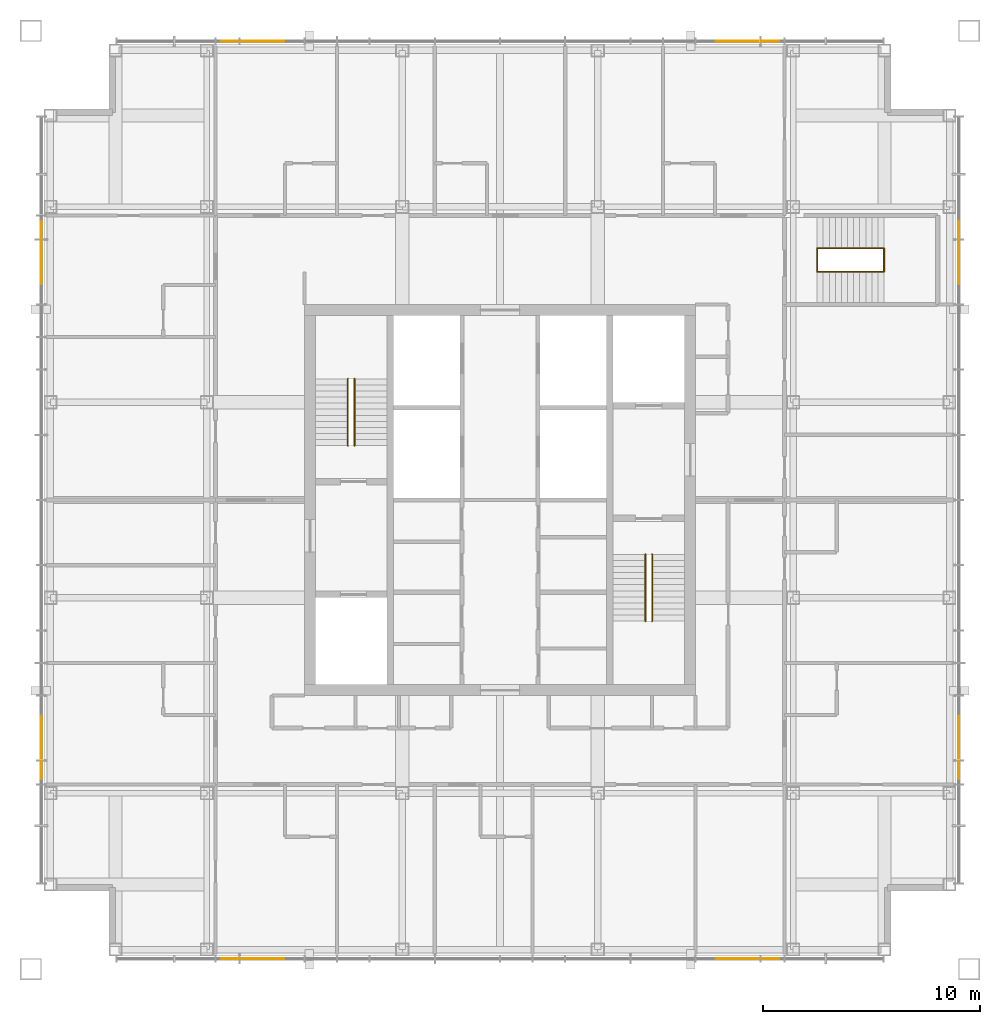
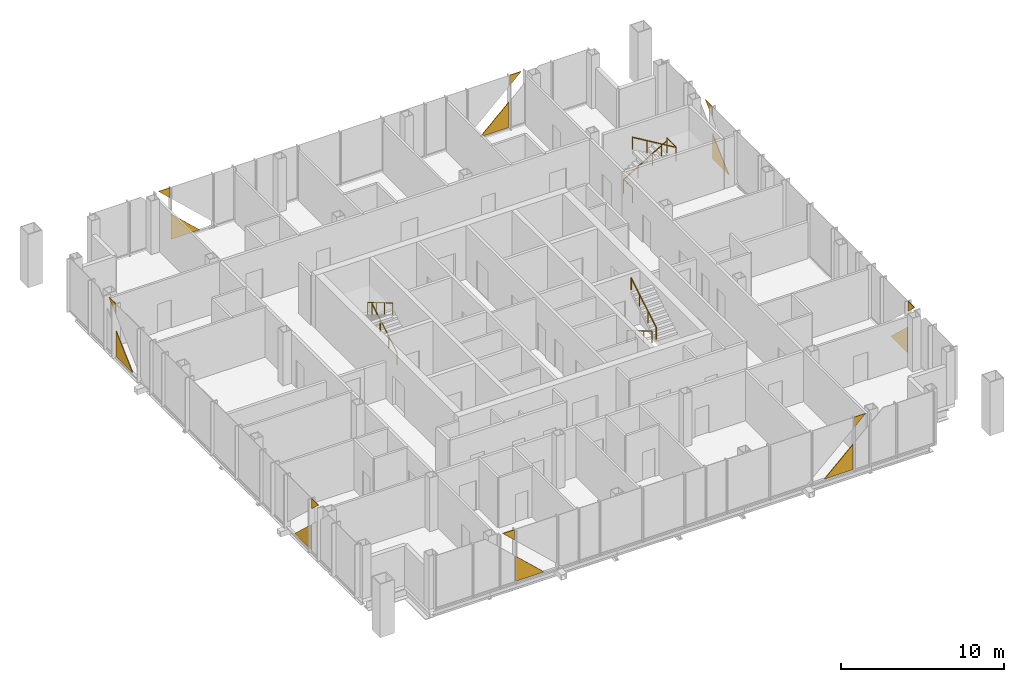
# One storey, part 11 of 11: 16 coverings, 8 railings.
"""IFC4 building model written with IfcOpenShell, lengths in metres."""

from ifc_helpers import new_model, si_unit, direction, frame, origin, origin_2d, place, context, subcontext, project, spatial, polyline, circle, outline, extrude, material, layer, layer_set, type_object, element, save


model = new_model("IFC4")

# Units and contexts
model_context = context("Model", 3, precision=1e-05, world=origin(), true_north=direction((0.0, 1.0)))
body_context = subcontext(model_context, "Body", "Model", "MODEL_VIEW")
ifc_project = project(units=[si_unit("LENGTHUNIT", "METRE"), si_unit("AREAUNIT", "SQUARE_METRE"), si_unit("VOLUMEUNIT", "CUBIC_METRE"), si_unit("PLANEANGLEUNIT", "RADIAN"), si_unit("MASSUNIT", "GRAM", prefix="KILO")], contexts=[model_context])

# Site, building, storey
site_placement = place(None, origin())
site = spatial("IfcSite", under=ifc_project, at=site_placement, CompositionType="ELEMENT")
building_placement = place(site_placement, origin())
building = spatial("IfcBuilding", under=site, at=building_placement, Name="Malebo Sky Hospital", CompositionType="ELEMENT")
storey_placement = place(building_placement, frame((0.0, 0.0, 278.0)))
storey = spatial("IfcBuildingStorey", under=building, at=storey_placement, Name="L67", CompositionType="ELEMENT", Elevation=278.0)

# Coverings
ifc_material_1 = material(Name="Anodised aluminium, natural silver insulated infill panel", Category="aluminium")
ifc_layer = layer(ifc_material_1, 0.0400390625)
ifc_layer_set = layer_set([ifc_layer], Name="BRACE INFILL PANEL 40")
covering_type = type_object("IfcCoveringType", Name="BRACE INFILL PANEL 40", PredefinedType="CLADDING", material=ifc_layer_set)
covering_1_placement = place(storey_placement, frame((47.55615234375, 83.125, 3.22900390625), z_axis=(0.0, 0.0, 1.0), x_axis=(1.0, 0.0, 0.0)))
element("IfcCovering", 1, at=covering_1_placement, inside=storey, type_object=covering_type, Name="Brace infill panel 3.1", PredefinedType="CLADDING", context=body_context, shape_type="SweptSolid", body=[
    extrude(outline(polyline([(0.40625, 0.0), (0.40625, 0.760986328125), (-0.40625, 0.760986328125), (0.40625, 0.0)])), frame((0.0, 0.02001953125, 0.0), z_axis=(0.0, -1.0, 0.0), x_axis=(1.0, 0.0, 0.0)), (0.0, 0.0, 1.0), 0.0400390625),
])
covering_2_placement = place(storey_placement, frame((49.04833984375, 83.125, 0.10009765625), z_axis=(0.0, 0.0, 1.0), x_axis=(1.0, 0.0, 0.0)))
element("IfcCovering", 2, at=covering_2_placement, inside=storey, type_object=covering_type, Name="Brace infill panel 4.1", PredefinedType="CLADDING", context=body_context, shape_type="SweptSolid", body=[
    extrude(outline(polyline([(-1.010986328125, 0.0), (1.010986328125, 0.0), (-1.010986328125, 1.89306640625), (-1.010986328125, 0.0)])), frame((0.0, 0.02001953125, 0.0), z_axis=(0.0, -1.0, 0.0), x_axis=(1.0, 0.0, 0.0)), (0.0, 0.0, 1.0), 0.0400390625),
])
covering_3_placement = place(storey_placement, frame((70.95166015625, 83.125, 0.10009765625), z_axis=(0.0, 0.0, 1.0), x_axis=(1.0, 0.0, 0.0)))
element("IfcCovering", 3, at=covering_3_placement, inside=storey, type_object=covering_type, Name="Brace infill panel 13.1", PredefinedType="CLADDING", context=body_context, shape_type="SweptSolid", body=[
    extrude(outline(polyline([(-1.010986328125, 0.0), (1.010986328125, 0.0), (1.010986328125, 1.89306640625), (-1.010986328125, 0.0)])), frame((0.0, 0.02001953125, 0.0), z_axis=(0.0, -1.0, 0.0), x_axis=(1.0, 0.0, 0.0)), (0.0, 0.0, 1.0), 0.0400390625),
])
covering_4_placement = place(storey_placement, frame((72.44384765625, 83.125, 3.22900390625), z_axis=(0.0, 0.0, 1.0), x_axis=(1.0, 0.0, 0.0)))
element("IfcCovering", 4, at=covering_4_placement, inside=storey, type_object=covering_type, Name="Brace infill panel 14.1", PredefinedType="CLADDING", context=body_context, shape_type="SweptSolid", body=[
    extrude(outline(polyline([(-0.40625, 0.0), (0.40625, 0.760986328125), (-0.40625, 0.760986328125), (-0.40625, 0.0)])), frame((0.0, 0.02001953125, 0.0), z_axis=(0.0, -1.0, 0.0), x_axis=(1.0, 0.0, 0.0)), (0.0, 0.0, 1.0), 0.0400390625),
])
covering_5_placement = place(storey_placement, frame((38.875, 49.55615234375, 3.22900390625), z_axis=(0.0, 0.0, 1.0), x_axis=(0.0, 1.0, 0.0)))
element("IfcCovering", 5, at=covering_5_placement, inside=storey, type_object=covering_type, Name="Brace infill panel 3.1", PredefinedType="CLADDING", context=body_context, shape_type="SweptSolid", body=[
    extrude(outline(polyline([(0.40625, 0.0), (0.40625, 0.760986328125), (-0.40625, 0.760986328125), (0.40625, 0.0)])), frame((0.0, 0.02001953125, 0.0), z_axis=(0.0, -1.0, 0.0), x_axis=(1.0, 0.0, 0.0)), (0.0, 0.0, 1.0), 0.0400390625),
])
covering_6_placement = place(storey_placement, frame((38.875, 51.04833984375, 0.10009765625), z_axis=(0.0, 0.0, 1.0), x_axis=(0.0, 1.0, 0.0)))
element("IfcCovering", 6, at=covering_6_placement, inside=storey, type_object=covering_type, Name="Brace infill panel 4.1", PredefinedType="CLADDING", context=body_context, shape_type="SweptSolid", body=[
    extrude(outline(polyline([(-1.010986328125, 0.0), (1.010986328125, 0.0), (-1.010986328125, 1.89306640625), (-1.010986328125, 0.0)])), frame((0.0, 0.02001953125, 0.0), z_axis=(0.0, -1.0, 0.0), x_axis=(1.0, 0.0, 0.0)), (0.0, 0.0, 1.0), 0.0400390625),
])
covering_7_placement = place(storey_placement, frame((38.875, 72.95166015625, 0.10009765625), z_axis=(0.0, 0.0, 1.0), x_axis=(0.0, 1.0, 0.0)))
element("IfcCovering", 7, at=covering_7_placement, inside=storey, type_object=covering_type, Name="Brace infill panel 13.1", PredefinedType="CLADDING", context=body_context, shape_type="SweptSolid", body=[
    extrude(outline(polyline([(-1.010986328125, 0.0), (1.010986328125, 0.0), (1.010986328125, 1.89306640625), (-1.010986328125, 0.0)])), frame((0.0, 0.02001953125, 0.0), z_axis=(0.0, -1.0, 0.0), x_axis=(1.0, 0.0, 0.0)), (0.0, 0.0, 1.0), 0.0400390625),
])
covering_8_placement = place(storey_placement, frame((38.875, 74.44384765625, 3.22900390625), z_axis=(0.0, 0.0, 1.0), x_axis=(0.0, 1.0, 0.0)))
element("IfcCovering", 8, at=covering_8_placement, inside=storey, type_object=covering_type, Name="Brace infill panel 14.1", PredefinedType="CLADDING", context=body_context, shape_type="SweptSolid", body=[
    extrude(outline(polyline([(-0.40625, 0.0), (0.40625, 0.760986328125), (-0.40625, 0.760986328125), (-0.40625, 0.0)])), frame((0.0, 0.02001953125, 0.0), z_axis=(0.0, -1.0, 0.0), x_axis=(1.0, 0.0, 0.0)), (0.0, 0.0, 1.0), 0.0400390625),
])
covering_9_placement = place(storey_placement, frame((72.44384765625, 40.875, 3.22900390625), z_axis=(0.0, 0.0, 1.0), x_axis=(-1.0, 0.0, 0.0)))
element("IfcCovering", 9, at=covering_9_placement, inside=storey, type_object=covering_type, Name="Brace infill panel 3.1", PredefinedType="CLADDING", context=body_context, shape_type="SweptSolid", body=[
    extrude(outline(polyline([(0.40625, 0.0), (0.40625, 0.760986328125), (-0.40625, 0.760986328125), (0.40625, 0.0)])), frame((0.0, 0.02001953125, 0.0), z_axis=(0.0, -1.0, 0.0), x_axis=(1.0, 0.0, 0.0)), (0.0, 0.0, 1.0), 0.0400390625),
])
covering_10_placement = place(storey_placement, frame((70.95166015625, 40.875, 0.10009765625), z_axis=(0.0, 0.0, 1.0), x_axis=(-1.0, 0.0, 0.0)))
element("IfcCovering", 10, at=covering_10_placement, inside=storey, type_object=covering_type, Name="Brace infill panel 4.1", PredefinedType="CLADDING", context=body_context, shape_type="SweptSolid", body=[
    extrude(outline(polyline([(-1.010986328125, 0.0), (1.010986328125, 0.0), (-1.010986328125, 1.89306640625), (-1.010986328125, 0.0)])), frame((0.0, 0.02001953125, 0.0), z_axis=(0.0, -1.0, 0.0), x_axis=(1.0, 0.0, 0.0)), (0.0, 0.0, 1.0), 0.0400390625),
])
covering_11_placement = place(storey_placement, frame((49.04833984375, 40.875, 0.10009765625), z_axis=(0.0, 0.0, 1.0), x_axis=(-1.0, 0.0, 0.0)))
element("IfcCovering", 11, at=covering_11_placement, inside=storey, type_object=covering_type, Name="Brace infill panel 13.1", PredefinedType="CLADDING", context=body_context, shape_type="SweptSolid", body=[
    extrude(outline(polyline([(-1.010986328125, 0.0), (1.010986328125, 0.0), (1.010986328125, 1.89306640625), (-1.010986328125, 0.0)])), frame((0.0, 0.02001953125, 0.0), z_axis=(0.0, -1.0, 0.0), x_axis=(1.0, 0.0, 0.0)), (0.0, 0.0, 1.0), 0.0400390625),
])
covering_12_placement = place(storey_placement, frame((47.55615234375, 40.875, 3.22900390625), z_axis=(0.0, 0.0, 1.0), x_axis=(-1.0, 0.0, 0.0)))
element("IfcCovering", 12, at=covering_12_placement, inside=storey, type_object=covering_type, Name="Brace infill panel 14.1", PredefinedType="CLADDING", context=body_context, shape_type="SweptSolid", body=[
    extrude(outline(polyline([(-0.40625, 0.0), (0.40625, 0.760986328125), (-0.40625, 0.760986328125), (-0.40625, 0.0)])), frame((0.0, 0.02001953125, 0.0), z_axis=(0.0, -1.0, 0.0), x_axis=(1.0, 0.0, 0.0)), (0.0, 0.0, 1.0), 0.0400390625),
])
covering_13_placement = place(storey_placement, frame((81.125, 74.44384765625, 3.22900390625), z_axis=(0.0, 0.0, 1.0), x_axis=(0.0, -1.0, 0.0)))
element("IfcCovering", 13, at=covering_13_placement, inside=storey, type_object=covering_type, Name="Brace infill panel 2.1", PredefinedType="CLADDING", context=body_context, shape_type="SweptSolid", body=[
    extrude(outline(polyline([(0.40625, 0.0), (0.40625, 0.760986328125), (-0.40625, 0.760986328125), (0.40625, 0.0)])), frame((0.0, 0.02001953125, 0.0), z_axis=(0.0, -1.0, 0.0), x_axis=(1.0, 0.0, 0.0)), (0.0, 0.0, 1.0), 0.0400390625),
])
covering_14_placement = place(storey_placement, frame((81.125, 72.95166015625, 0.10009765625), z_axis=(0.0, 0.0, 1.0), x_axis=(0.0, -1.0, 0.0)))
element("IfcCovering", 14, at=covering_14_placement, inside=storey, type_object=covering_type, Name="Brace infill panel 3.1", PredefinedType="CLADDING", context=body_context, shape_type="SweptSolid", body=[
    extrude(outline(polyline([(-1.010986328125, 0.0), (1.010986328125, 0.0), (-1.010986328125, 1.89306640625), (-1.010986328125, 0.0)])), frame((0.0, 0.02001953125, 0.0), z_axis=(0.0, -1.0, 0.0), x_axis=(1.0, 0.0, 0.0)), (0.0, 0.0, 1.0), 0.0400390625),
])
covering_15_placement = place(storey_placement, frame((81.125, 51.04833984375, 0.10009765625), z_axis=(0.0, 0.0, 1.0), x_axis=(0.0, -1.0, 0.0)))
element("IfcCovering", 15, at=covering_15_placement, inside=storey, type_object=covering_type, Name="Brace infill panel 11.1", PredefinedType="CLADDING", context=body_context, shape_type="SweptSolid", body=[
    extrude(outline(polyline([(-1.010986328125, 0.0), (1.010986328125, 0.0), (1.010986328125, 1.89306640625), (-1.010986328125, 0.0)])), frame((0.0, 0.02001953125, 0.0), z_axis=(0.0, -1.0, 0.0), x_axis=(1.0, 0.0, 0.0)), (0.0, 0.0, 1.0), 0.0400390625),
])
covering_16_placement = place(storey_placement, frame((81.125, 49.55615234375, 3.22900390625), z_axis=(0.0, 0.0, 1.0), x_axis=(0.0, -1.0, 0.0)))
element("IfcCovering", 16, at=covering_16_placement, inside=storey, type_object=covering_type, Name="Brace infill panel 12.1", PredefinedType="CLADDING", context=body_context, shape_type="SweptSolid", body=[
    extrude(outline(polyline([(-0.40625, 0.0), (0.40625, 0.760986328125), (-0.40625, 0.760986328125), (-0.40625, 0.0)])), frame((0.0, 0.02001953125, 0.0), z_axis=(0.0, -1.0, 0.0), x_axis=(1.0, 0.0, 0.0)), (0.0, 0.0, 1.0), 0.0400390625),
])

# Railings
ifc_material_2 = material(Name="Stainless steel balustrade", Category="steel")
railing_type_1 = type_object("IfcRailingType", Name="STAIR GUARD 1100", PredefinedType="GUARDRAIL", material=ifc_material_2)
for number, where, name in (
    (17, (74.60009765625, 72.5, 0.0), "Stair guard S3 floor landing"),
    (18, (77.679931640625, 72.5, 2.0), "Stair guard S3 mid landing"),
):
    element("IfcRailing", number, at=place(storey_placement, frame(where)), inside=storey, type_object=railing_type_1, Name=name, PredefinedType="GUARDRAIL", context=body_context, shape_type="SweptSolid", body=[
        extrude(circle(Radius=0.02392578125, at=origin_2d()), frame((0.0, 0.0, 1.076171875), z_axis=(0.0, 1.0, 0.0), x_axis=(-1.0, 0.0, 0.0)), (0.0, 0.0, 1.0), 1.10009765625),
        extrude(circle(Radius=0.02099609375, at=origin_2d()), origin(), (0.0, 0.0, 1.0), 1.052001953125),
        extrude(circle(Radius=0.02099609375, at=origin_2d()), frame((0.0, 1.10009765625, 0.0)), (0.0, 0.0, 1.0), 1.052001953125),
    ])
ifc_material_3 = material(Name="Stainless steel tube", Category="steel")
railing_type_2 = type_object("IfcRailingType", Name="STAIR HANDRAIL 900", PredefinedType="HANDRAIL", material=ifc_material_3)
railing_1_placement = place(storey_placement, frame((53.300048828125, 64.5, 0.166748046875)))
element("IfcRailing", 19, at=railing_1_placement, inside=storey, type_object=railing_type_2, Name="Stair handrail S1 flight 1", PredefinedType="HANDRAIL", context=body_context, shape_type="SweptSolid", body=[
    extrude(circle(Radius=0.02392578125, at=origin_2d()), frame((0.0, 0.0, 0.8759765625), z_axis=(0.0, 0.859308565015, 0.511457515432), x_axis=(-1.0, 0.0, 0.0)), (0.0, 0.0, 1.0), 3.58447265625),
    extrude(circle(Radius=0.02099609375, at=origin_2d()), origin(), (0.0, 0.0, 1.0), 0.851806640625),
    extrude(circle(Radius=0.02099609375, at=origin_2d()), frame((0.0, 1.026611328125, 0.611083984375)), (0.0, 0.0, 1.0), 0.851806640625),
    extrude(circle(Radius=0.02099609375, at=origin_2d()), frame((0.0, 2.053466796875, 1.22216796875)), (0.0, 0.0, 1.0), 0.851806640625),
    extrude(circle(Radius=0.02099609375, at=origin_2d()), frame((0.0, 3.080078125, 1.833251953125)), (0.0, 0.0, 1.0), 0.851806640625),
])
for number, where, name in (
    (20, (53.0, 67.580078125, 2.166748046875), "Stair handrail S1 flight 2"),
    (21, (66.699951171875, 59.5, 0.166748046875), "Stair handrail S2 flight 1"),
):
    element("IfcRailing", number, at=place(storey_placement, frame(where)), inside=storey, type_object=railing_type_2, Name=name, PredefinedType="HANDRAIL", context=body_context, shape_type="SweptSolid", body=[
        extrude(circle(Radius=0.02392578125, at=origin_2d()), frame((0.0, 0.0, 0.8759765625), z_axis=(0.0, -0.859308565015, 0.511457515432), x_axis=(1.0, 0.0, 0.0)), (0.0, 0.0, 1.0), 3.58447265625),
        extrude(circle(Radius=0.02099609375, at=origin_2d()), origin(), (0.0, 0.0, 1.0), 0.851806640625),
        extrude(circle(Radius=0.02099609375, at=origin_2d()), frame((0.0, -1.026611328125, 0.611083984375)), (0.0, 0.0, 1.0), 0.851806640625),
        extrude(circle(Radius=0.02099609375, at=origin_2d()), frame((0.0, -2.053466796875, 1.22216796875)), (0.0, 0.0, 1.0), 0.851806640625),
        extrude(circle(Radius=0.02099609375, at=origin_2d()), frame((0.0, -3.080078125, 1.833251953125)), (0.0, 0.0, 1.0), 0.851806640625),
    ])
railing_2_placement = place(storey_placement, frame((67.0, 56.419921875, 2.166748046875)))
element("IfcRailing", 22, at=railing_2_placement, inside=storey, type_object=railing_type_2, Name="Stair handrail S2 flight 2", PredefinedType="HANDRAIL", context=body_context, shape_type="SweptSolid", body=[
    extrude(circle(Radius=0.02392578125, at=origin_2d()), frame((0.0, 0.0, 0.8759765625), z_axis=(0.0, 0.859308565015, 0.511457515432), x_axis=(-1.0, 0.0, 0.0)), (0.0, 0.0, 1.0), 3.58447265625),
    extrude(circle(Radius=0.02099609375, at=origin_2d()), origin(), (0.0, 0.0, 1.0), 0.851806640625),
    extrude(circle(Radius=0.02099609375, at=origin_2d()), frame((0.0, 1.026611328125, 0.611083984375)), (0.0, 0.0, 1.0), 0.851806640625),
    extrude(circle(Radius=0.02099609375, at=origin_2d()), frame((0.0, 2.053466796875, 1.22216796875)), (0.0, 0.0, 1.0), 0.851806640625),
    extrude(circle(Radius=0.02099609375, at=origin_2d()), frame((0.0, 3.080078125, 1.833251953125)), (0.0, 0.0, 1.0), 0.851806640625),
])
railing_3_placement = place(storey_placement, frame((74.60009765625, 73.60009765625, 0.166748046875)))
element("IfcRailing", 23, at=railing_3_placement, inside=storey, type_object=railing_type_2, Name="Stair handrail S3 flight 1", PredefinedType="HANDRAIL", context=body_context, shape_type="SweptSolid", body=[
    extrude(circle(Radius=0.02392578125, at=origin_2d()), frame((0.0, 0.0, 0.8759765625), z_axis=(0.859290745958, 0.0, 0.51148745235), x_axis=(0.0, 1.0, 0.0)), (0.0, 0.0, 1.0), 3.584228515625),
    extrude(circle(Radius=0.02099609375, at=origin_2d()), origin(), (0.0, 0.0, 1.0), 0.851806640625),
    extrude(circle(Radius=0.02099609375, at=origin_2d()), frame((1.026611328125, 0.0, 0.611083984375)), (0.0, 0.0, 1.0), 0.851806640625),
    extrude(circle(Radius=0.02099609375, at=origin_2d()), frame((2.05322265625, 0.0, 1.22216796875)), (0.0, 0.0, 1.0), 0.851806640625),
    extrude(circle(Radius=0.02099609375, at=origin_2d()), frame((3.079833984375, 0.0, 1.833251953125)), (0.0, 0.0, 1.0), 0.851806640625),
])
railing_4_placement = place(storey_placement, frame((77.679931640625, 72.5, 2.166748046875)))
element("IfcRailing", 24, at=railing_4_placement, inside=storey, type_object=railing_type_2, Name="Stair handrail S3 flight 2", PredefinedType="HANDRAIL", context=body_context, shape_type="SweptSolid", body=[
    extrude(circle(Radius=0.02392578125, at=origin_2d()), frame((0.0, 0.0, 0.8759765625), z_axis=(-0.859290745958, 0.0, 0.51148745235), x_axis=(0.0, -1.0, 0.0)), (0.0, 0.0, 1.0), 3.584228515625),
    extrude(circle(Radius=0.02099609375, at=origin_2d()), origin(), (0.0, 0.0, 1.0), 0.851806640625),
    extrude(circle(Radius=0.02099609375, at=origin_2d()), frame((-1.026611328125, 0.0, 0.611083984375)), (0.0, 0.0, 1.0), 0.851806640625),
    extrude(circle(Radius=0.02099609375, at=origin_2d()), frame((-2.05322265625, 0.0, 1.22216796875)), (0.0, 0.0, 1.0), 0.851806640625),
    extrude(circle(Radius=0.02099609375, at=origin_2d()), frame((-3.079833984375, 0.0, 1.833251953125)), (0.0, 0.0, 1.0), 0.851806640625),
])

save(model, "model.ifc")
